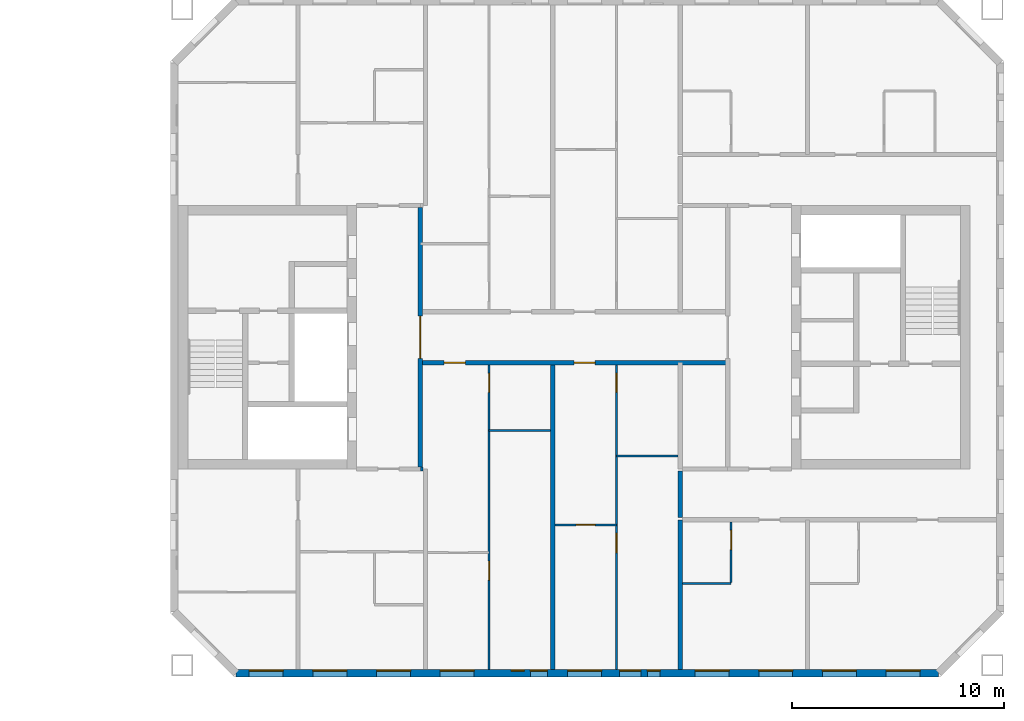
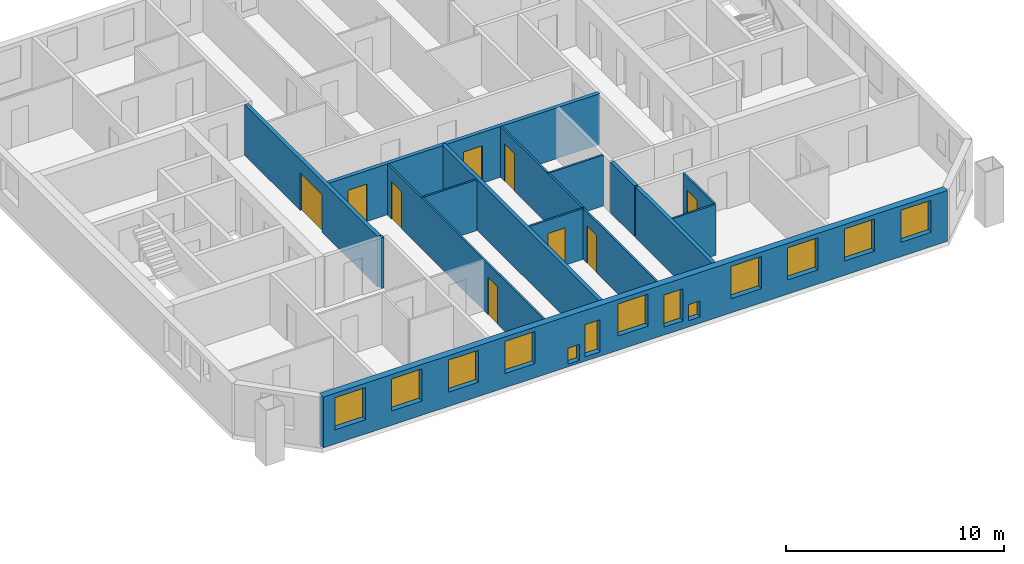
# One storey, part 9 of 15: 14 walls, 13 windows, 9 doors, 22 openings.
"""IFC4 building model written with IfcOpenShell, lengths in metres."""

from ifc_helpers import new_model, si_unit, direction, frame, frame_2d, origin, place, context, subcontext, project, spatial, rectangle, extrude, material, layer, layer_set, type_object, element, fill, save


model = new_model("IFC4")

# Units and contexts
model_context = context("Model", 3, precision=1e-05, world=origin(), true_north=direction((0.0, 1.0)))
body_context = subcontext(model_context, "Body", "Model", "MODEL_VIEW")
ifc_project = project(units=[si_unit("LENGTHUNIT", "METRE"), si_unit("AREAUNIT", "SQUARE_METRE"), si_unit("VOLUMEUNIT", "CUBIC_METRE"), si_unit("PLANEANGLEUNIT", "RADIAN"), si_unit("MASSUNIT", "GRAM", prefix="KILO")], contexts=[model_context])

# Site, building, storey
site_placement = place(None, origin())
site = spatial("IfcSite", under=ifc_project, at=site_placement, CompositionType="ELEMENT")
building_placement = place(site_placement, origin())
building = spatial("IfcBuilding", under=site, at=building_placement, Name="Tuart Gate Housing", CompositionType="ELEMENT")
storey_placement = place(building_placement, frame((0.0, 0.0, 188.199951171875)))
storey = spatial("IfcBuildingStorey", under=building, at=storey_placement, Name="L53", CompositionType="ELEMENT", Elevation=188.199951171875)

# Wall, openings, windows
ifc_material_1 = material(Name="Brick", Category="masonry")
ifc_layer_1 = layer(ifc_material_1, 0.360107421875)
ifc_layer_set_1 = layer_set([ifc_layer_1], Name="Brick pier and spandrel wall 360")
wall_type_1 = type_object("IfcWallType", Name="Brick pier and spandrel wall 360", PredefinedType="STANDARD", material=ifc_layer_set_1)
wall_1_placement = place(storey_placement, frame((134.07470703125, 54.179931640625, 0.0), z_axis=(0.0, 0.0, 1.0), x_axis=(1.0, 0.0, 0.0)))
wall_1 = element("IfcWall", 1, at=wall_1_placement, inside=storey, type_object=wall_type_1, Name="External wall B-S L53", PredefinedType="STANDARD", context=body_context, shape_type="SweptSolid", body=[
    extrude(rectangle(XDim=33.100830078125, YDim=0.360107421875, at=frame_2d((16.55029296875, 0.0))), origin(), (0.0, 0.0, 1.0), 2.85009765625),
])
opening_1_placement = place(wall_1_placement, frame((0.62548828125, 0.0, 0.800048828125)))
opening_1 = element("IfcOpeningElement", 2, at=opening_1_placement, cuts=wall_1, Name="Opening W1", PredefinedType="OPENING", context=body_context, shape_type="SweptSolid", body=[
    extrude(rectangle(XDim=1.60009765625, YDim=1.800048828125, at=frame_2d((0.800048828125, 0.89990234375))), frame((0.0, 0.18994140625, 0.0), z_axis=(0.0, -1.0, 0.0), x_axis=(1.0, 0.0, 0.0)), (0.0, 0.0, 1.0), 0.380126953125),
])
opening_2_placement = place(wall_1_placement, frame((3.62548828125, 0.0, 0.800048828125)))
opening_2 = element("IfcOpeningElement", 3, at=opening_2_placement, cuts=wall_1, Name="Opening W1", PredefinedType="OPENING", context=body_context, shape_type="SweptSolid", body=[
    extrude(rectangle(XDim=1.60009765625, YDim=1.800048828125, at=frame_2d((0.800048828125, 0.89990234375))), frame((0.0, 0.18994140625, 0.0), z_axis=(0.0, -1.0, 0.0), x_axis=(1.0, 0.0, 0.0)), (0.0, 0.0, 1.0), 0.380126953125),
])
opening_3_placement = place(wall_1_placement, frame((6.62548828125, 0.0, 0.800048828125)))
opening_3 = element("IfcOpeningElement", 4, at=opening_3_placement, cuts=wall_1, Name="Opening W1", PredefinedType="OPENING", context=body_context, shape_type="SweptSolid", body=[
    extrude(rectangle(XDim=1.60009765625, YDim=1.800048828125, at=frame_2d((0.800048828125, 0.89990234375))), frame((0.0, 0.18994140625, 0.0), z_axis=(0.0, -1.0, 0.0), x_axis=(1.0, 0.0, 0.0)), (0.0, 0.0, 1.0), 0.380126953125),
])
opening_4_placement = place(wall_1_placement, frame((9.62548828125, 0.0, 0.800048828125)))
opening_4 = element("IfcOpeningElement", 5, at=opening_4_placement, cuts=wall_1, Name="Opening W1", PredefinedType="OPENING", context=body_context, shape_type="SweptSolid", body=[
    extrude(rectangle(XDim=1.60009765625, YDim=1.800048828125, at=frame_2d((0.800048828125, 0.89990234375))), frame((0.0, 0.18994140625, 0.0), z_axis=(0.0, -1.0, 0.0), x_axis=(1.0, 0.0, 0.0)), (0.0, 0.0, 1.0), 0.380126953125),
])
opening_5_placement = place(wall_1_placement, frame((12.975341796875, 0.0, 0.14990234375)))
opening_5 = element("IfcOpeningElement", 6, at=opening_5_placement, cuts=wall_1, Name="Opening W1W", PredefinedType="OPENING", context=body_context, shape_type="SweptSolid", body=[
    extrude(rectangle(XDim=0.60009765625, YDim=0.89990234375, at=frame_2d((0.300048828125, 0.449951171875))), frame((0.0, 0.18994140625, 0.0), z_axis=(0.0, -1.0, 0.0), x_axis=(1.0, 0.0, 0.0)), (0.0, 0.0, 1.0), 0.380126953125),
])
opening_6_placement = place(wall_1_placement, frame((15.62548828125, 0.0, 0.800048828125)))
opening_6 = element("IfcOpeningElement", 7, at=opening_6_placement, cuts=wall_1, Name="Opening W1", PredefinedType="OPENING", context=body_context, shape_type="SweptSolid", body=[
    extrude(rectangle(XDim=1.60009765625, YDim=1.800048828125, at=frame_2d((0.800048828125, 0.89990234375))), frame((0.0, 0.18994140625, 0.0), z_axis=(0.0, -1.0, 0.0), x_axis=(1.0, 0.0, 0.0)), (0.0, 0.0, 1.0), 0.380126953125),
])
opening_7_placement = place(wall_1_placement, frame((18.075439453125, 0.0, 0.449951171875)))
opening_7 = element("IfcOpeningElement", 8, at=opening_7_placement, cuts=wall_1, Name="Opening W1C", PredefinedType="OPENING", context=body_context, shape_type="SweptSolid", body=[
    extrude(rectangle(XDim=1.0, YDim=1.800048828125, at=frame_2d((0.5, 0.89990234375))), frame((0.0, 0.18994140625, 0.0), z_axis=(0.0, -1.0, 0.0), x_axis=(1.0, 0.0, 0.0)), (0.0, 0.0, 1.0), 0.380126953125),
])
opening_8_placement = place(wall_1_placement, frame((21.62548828125, 0.0, 0.800048828125)))
opening_8 = element("IfcOpeningElement", 9, at=opening_8_placement, cuts=wall_1, Name="Opening W1", PredefinedType="OPENING", context=body_context, shape_type="SweptSolid", body=[
    extrude(rectangle(XDim=1.60009765625, YDim=1.800048828125, at=frame_2d((0.800048828125, 0.89990234375))), frame((0.0, 0.18994140625, 0.0), z_axis=(0.0, -1.0, 0.0), x_axis=(1.0, 0.0, 0.0)), (0.0, 0.0, 1.0), 0.380126953125),
])
opening_9_placement = place(wall_1_placement, frame((24.62548828125, 0.0, 0.800048828125)))
opening_9 = element("IfcOpeningElement", 10, at=opening_9_placement, cuts=wall_1, Name="Opening W1", PredefinedType="OPENING", context=body_context, shape_type="SweptSolid", body=[
    extrude(rectangle(XDim=1.60009765625, YDim=1.800048828125, at=frame_2d((0.800048828125, 0.89990234375))), frame((0.0, 0.18994140625, 0.0), z_axis=(0.0, -1.0, 0.0), x_axis=(1.0, 0.0, 0.0)), (0.0, 0.0, 1.0), 0.380126953125),
])
opening_10_placement = place(wall_1_placement, frame((27.62548828125, 0.0, 0.800048828125)))
opening_10 = element("IfcOpeningElement", 11, at=opening_10_placement, cuts=wall_1, Name="Opening W1", PredefinedType="OPENING", context=body_context, shape_type="SweptSolid", body=[
    extrude(rectangle(XDim=1.60009765625, YDim=1.800048828125, at=frame_2d((0.800048828125, 0.89990234375))), frame((0.0, 0.18994140625, 0.0), z_axis=(0.0, -1.0, 0.0), x_axis=(1.0, 0.0, 0.0)), (0.0, 0.0, 1.0), 0.380126953125),
])
opening_11_placement = place(wall_1_placement, frame((30.62548828125, 0.0, 0.800048828125)))
opening_11 = element("IfcOpeningElement", 12, at=opening_11_placement, cuts=wall_1, Name="Opening W1", PredefinedType="OPENING", context=body_context, shape_type="SweptSolid", body=[
    extrude(rectangle(XDim=1.60009765625, YDim=1.800048828125, at=frame_2d((0.800048828125, 0.89990234375))), frame((0.0, 0.18994140625, 0.0), z_axis=(0.0, -1.0, 0.0), x_axis=(1.0, 0.0, 0.0)), (0.0, 0.0, 1.0), 0.380126953125),
])
opening_12_placement = place(wall_1_placement, frame((13.87548828125, 0.0, 0.25)))
opening_12 = element("IfcOpeningElement", 13, at=opening_12_placement, cuts=wall_1, Name="Opening W1D", PredefinedType="OPENING", context=body_context, shape_type="SweptSolid", body=[
    extrude(rectangle(XDim=0.800048828125, YDim=1.800048828125, at=frame_2d((0.39990234375, 0.89990234375))), frame((0.0, 0.18994140625, 0.0), z_axis=(0.0, -1.0, 0.0), x_axis=(1.0, 0.0, 0.0)), (0.0, 0.0, 1.0), 0.380126953125),
])
opening_13_placement = place(wall_1_placement, frame((19.37548828125, 0.0, 0.35009765625)))
opening_13 = element("IfcOpeningElement", 14, at=opening_13_placement, cuts=wall_1, Name="Opening W1W", PredefinedType="OPENING", context=body_context, shape_type="SweptSolid", body=[
    extrude(rectangle(XDim=0.60009765625, YDim=0.89990234375, at=frame_2d((0.300048828125, 0.449951171875))), frame((0.0, 0.18994140625, 0.0), z_axis=(0.0, -1.0, 0.0), x_axis=(1.0, 0.0, 0.0)), (0.0, 0.0, 1.0), 0.380126953125),
])
ifc_material_2 = material(Name="Aluminium frame with clear glass", Category="aluminium")
window_type_1 = type_object("IfcWindowType", Name="Punched window 1000 x 1800", PartitioningType="SINGLE_PANEL", PredefinedType="WINDOW", material=ifc_material_2)
window_1_placement = place(opening_7_placement, origin())
window_1 = element("IfcWindow", 15, at=window_1_placement, inside=storey, type_object=window_type_1, Name="Window W1C", OverallHeight=1.800048828125, OverallWidth=1.0, PartitioningType="SINGLE_PANEL", PredefinedType="WINDOW", context=body_context, shape_type="SweptSolid", body=[
    extrude(rectangle(XDim=1.0, YDim=1.800048828125, at=frame_2d((0.5, 0.89990234375))), frame((0.0, 0.150146484375, 0.0), z_axis=(0.0, -1.0, 0.0), x_axis=(1.0, 0.0, 0.0)), (0.0, 0.0, 1.0), 0.06005859375),
])
fill(opening_7, window_1)
ifc_material_3 = material(Name="Aluminium frame with clear glass", Category="aluminium")
window_type_2 = type_object("IfcWindowType", Name="Punched window 1600 x 1800", PartitioningType="SINGLE_PANEL", PredefinedType="WINDOW", material=ifc_material_3)
window_2_placement = place(opening_1_placement, origin())
window_2 = element("IfcWindow", 16, at=window_2_placement, inside=storey, type_object=window_type_2, Name="Window W1", OverallHeight=1.800048828125, OverallWidth=1.60009765625, PartitioningType="SINGLE_PANEL", PredefinedType="WINDOW", context=body_context, shape_type="SweptSolid", body=[
    extrude(rectangle(XDim=1.60009765625, YDim=1.800048828125, at=frame_2d((0.800048828125, 0.89990234375))), frame((0.0, 0.150146484375, 0.0), z_axis=(0.0, -1.0, 0.0), x_axis=(1.0, 0.0, 0.0)), (0.0, 0.0, 1.0), 0.06005859375),
])
fill(opening_1, window_2)
window_3_placement = place(opening_2_placement, origin())
window_3 = element("IfcWindow", 17, at=window_3_placement, inside=storey, type_object=window_type_2, Name="Window W1", OverallHeight=1.800048828125, OverallWidth=1.60009765625, PartitioningType="SINGLE_PANEL", PredefinedType="WINDOW", context=body_context, shape_type="SweptSolid", body=[
    extrude(rectangle(XDim=1.60009765625, YDim=1.800048828125, at=frame_2d((0.800048828125, 0.89990234375))), frame((0.0, 0.150146484375, 0.0), z_axis=(0.0, -1.0, 0.0), x_axis=(1.0, 0.0, 0.0)), (0.0, 0.0, 1.0), 0.06005859375),
])
fill(opening_2, window_3)
window_4_placement = place(opening_3_placement, origin())
window_4 = element("IfcWindow", 18, at=window_4_placement, inside=storey, type_object=window_type_2, Name="Window W1", OverallHeight=1.800048828125, OverallWidth=1.60009765625, PartitioningType="SINGLE_PANEL", PredefinedType="WINDOW", context=body_context, shape_type="SweptSolid", body=[
    extrude(rectangle(XDim=1.60009765625, YDim=1.800048828125, at=frame_2d((0.800048828125, 0.89990234375))), frame((0.0, 0.150146484375, 0.0), z_axis=(0.0, -1.0, 0.0), x_axis=(1.0, 0.0, 0.0)), (0.0, 0.0, 1.0), 0.06005859375),
])
fill(opening_3, window_4)
window_5_placement = place(opening_4_placement, origin())
window_5 = element("IfcWindow", 19, at=window_5_placement, inside=storey, type_object=window_type_2, Name="Window W1", OverallHeight=1.800048828125, OverallWidth=1.60009765625, PartitioningType="SINGLE_PANEL", PredefinedType="WINDOW", context=body_context, shape_type="SweptSolid", body=[
    extrude(rectangle(XDim=1.60009765625, YDim=1.800048828125, at=frame_2d((0.800048828125, 0.89990234375))), frame((0.0, 0.150146484375, 0.0), z_axis=(0.0, -1.0, 0.0), x_axis=(1.0, 0.0, 0.0)), (0.0, 0.0, 1.0), 0.06005859375),
])
fill(opening_4, window_5)
window_6_placement = place(opening_6_placement, origin())
window_6 = element("IfcWindow", 20, at=window_6_placement, inside=storey, type_object=window_type_2, Name="Window W1", OverallHeight=1.800048828125, OverallWidth=1.60009765625, PartitioningType="SINGLE_PANEL", PredefinedType="WINDOW", context=body_context, shape_type="SweptSolid", body=[
    extrude(rectangle(XDim=1.60009765625, YDim=1.800048828125, at=frame_2d((0.800048828125, 0.89990234375))), frame((0.0, 0.150146484375, 0.0), z_axis=(0.0, -1.0, 0.0), x_axis=(1.0, 0.0, 0.0)), (0.0, 0.0, 1.0), 0.06005859375),
])
fill(opening_6, window_6)
window_7_placement = place(opening_8_placement, origin())
window_7 = element("IfcWindow", 21, at=window_7_placement, inside=storey, type_object=window_type_2, Name="Window W1", OverallHeight=1.800048828125, OverallWidth=1.60009765625, PartitioningType="SINGLE_PANEL", PredefinedType="WINDOW", context=body_context, shape_type="SweptSolid", body=[
    extrude(rectangle(XDim=1.60009765625, YDim=1.800048828125, at=frame_2d((0.800048828125, 0.89990234375))), frame((0.0, 0.150146484375, 0.0), z_axis=(0.0, -1.0, 0.0), x_axis=(1.0, 0.0, 0.0)), (0.0, 0.0, 1.0), 0.06005859375),
])
fill(opening_8, window_7)
window_8_placement = place(opening_9_placement, origin())
window_8 = element("IfcWindow", 22, at=window_8_placement, inside=storey, type_object=window_type_2, Name="Window W1", OverallHeight=1.800048828125, OverallWidth=1.60009765625, PartitioningType="SINGLE_PANEL", PredefinedType="WINDOW", context=body_context, shape_type="SweptSolid", body=[
    extrude(rectangle(XDim=1.60009765625, YDim=1.800048828125, at=frame_2d((0.800048828125, 0.89990234375))), frame((0.0, 0.150146484375, 0.0), z_axis=(0.0, -1.0, 0.0), x_axis=(1.0, 0.0, 0.0)), (0.0, 0.0, 1.0), 0.06005859375),
])
fill(opening_9, window_8)
window_9_placement = place(opening_10_placement, origin())
window_9 = element("IfcWindow", 23, at=window_9_placement, inside=storey, type_object=window_type_2, Name="Window W1", OverallHeight=1.800048828125, OverallWidth=1.60009765625, PartitioningType="SINGLE_PANEL", PredefinedType="WINDOW", context=body_context, shape_type="SweptSolid", body=[
    extrude(rectangle(XDim=1.60009765625, YDim=1.800048828125, at=frame_2d((0.800048828125, 0.89990234375))), frame((0.0, 0.150146484375, 0.0), z_axis=(0.0, -1.0, 0.0), x_axis=(1.0, 0.0, 0.0)), (0.0, 0.0, 1.0), 0.06005859375),
])
fill(opening_10, window_9)
window_10_placement = place(opening_11_placement, origin())
window_10 = element("IfcWindow", 24, at=window_10_placement, inside=storey, type_object=window_type_2, Name="Window W1", OverallHeight=1.800048828125, OverallWidth=1.60009765625, PartitioningType="SINGLE_PANEL", PredefinedType="WINDOW", context=body_context, shape_type="SweptSolid", body=[
    extrude(rectangle(XDim=1.60009765625, YDim=1.800048828125, at=frame_2d((0.800048828125, 0.89990234375))), frame((0.0, 0.150146484375, 0.0), z_axis=(0.0, -1.0, 0.0), x_axis=(1.0, 0.0, 0.0)), (0.0, 0.0, 1.0), 0.06005859375),
])
fill(opening_11, window_10)
ifc_material_4 = material(Name="Aluminium frame with clear glass", Category="aluminium")
window_type_3 = type_object("IfcWindowType", Name="Punched window 600 x 900", PartitioningType="SINGLE_PANEL", PredefinedType="WINDOW", material=ifc_material_4)
window_11_placement = place(opening_5_placement, origin())
window_11 = element("IfcWindow", 25, at=window_11_placement, inside=storey, type_object=window_type_3, Name="Window W1W", OverallHeight=0.89990234375, OverallWidth=0.60009765625, PartitioningType="SINGLE_PANEL", PredefinedType="WINDOW", context=body_context, shape_type="SweptSolid", body=[
    extrude(rectangle(XDim=0.60009765625, YDim=0.89990234375, at=frame_2d((0.300048828125, 0.449951171875))), frame((0.0, 0.150146484375, 0.0), z_axis=(0.0, -1.0, 0.0), x_axis=(1.0, 0.0, 0.0)), (0.0, 0.0, 1.0), 0.06005859375),
])
fill(opening_5, window_11)
window_12_placement = place(opening_13_placement, origin())
window_12 = element("IfcWindow", 26, at=window_12_placement, inside=storey, type_object=window_type_3, Name="Window W1W", OverallHeight=0.89990234375, OverallWidth=0.60009765625, PartitioningType="SINGLE_PANEL", PredefinedType="WINDOW", context=body_context, shape_type="SweptSolid", body=[
    extrude(rectangle(XDim=0.60009765625, YDim=0.89990234375, at=frame_2d((0.300048828125, 0.449951171875))), frame((0.0, 0.150146484375, 0.0), z_axis=(0.0, -1.0, 0.0), x_axis=(1.0, 0.0, 0.0)), (0.0, 0.0, 1.0), 0.06005859375),
])
fill(opening_13, window_12)
ifc_material_5 = material(Name="Aluminium frame with clear glass", Category="aluminium")
window_type_4 = type_object("IfcWindowType", Name="Punched window 800 x 1800", PartitioningType="SINGLE_PANEL", PredefinedType="WINDOW", material=ifc_material_5)
window_13_placement = place(opening_12_placement, origin())
window_13 = element("IfcWindow", 27, at=window_13_placement, inside=storey, type_object=window_type_4, Name="Window W1D", OverallHeight=1.800048828125, OverallWidth=0.800048828125, PartitioningType="SINGLE_PANEL", PredefinedType="WINDOW", context=body_context, shape_type="SweptSolid", body=[
    extrude(rectangle(XDim=0.800048828125, YDim=1.800048828125, at=frame_2d((0.39990234375, 0.89990234375))), frame((0.0, 0.150146484375, 0.0), z_axis=(0.0, -1.0, 0.0), x_axis=(1.0, 0.0, 0.0)), (0.0, 0.0, 1.0), 0.06005859375),
])
fill(opening_12, window_13)

# Wall, openings, doors
ifc_material_6 = material(Name="Concrete masonry 15 MPa", Category="masonry")
ifc_layer_2 = layer(ifc_material_6, 0.199951171875)
ifc_layer_set_2 = layer_set([ifc_layer_2], Name="Corridor wall masonry 200")
wall_type_2 = type_object("IfcWallType", Name="Corridor wall masonry 200", PredefinedType="PARTITIONING", material=ifc_layer_set_2)
wall_2_placement = place(storey_placement, frame((142.760009765625, 68.800048828125, 0.0), z_axis=(0.0, 0.0, 1.0), x_axis=(1.0, 0.0, 0.0)))
wall_2 = element("IfcWall", 28, at=wall_2_placement, inside=storey, type_object=wall_type_2, Name="Corridor wall masonry 200", PredefinedType="PARTITIONING", context=body_context, shape_type="SweptSolid", body=[
    extrude(rectangle(XDim=14.47998046875, YDim=0.199951171875, at=frame_2d((7.239990234375, 0.0))), origin(), (0.0, 0.0, 1.0), 2.85009765625),
])
opening_14_placement = place(wall_2_placement, frame((1.1201171875, 0.0, 0.0)))
opening_14 = element("IfcOpeningElement", 29, at=opening_14_placement, cuts=wall_2, Name="Opening D1926", PredefinedType="OPENING", context=body_context, shape_type="SweptSolid", body=[
    extrude(rectangle(XDim=1.0, YDim=2.10009765625, at=frame_2d((0.5, 1.050048828125))), frame((0.0, 0.10986328125, 0.0), z_axis=(0.0, -1.0, 0.0), x_axis=(1.0, 0.0, 0.0)), (0.0, 0.0, 1.0), 0.219970703125),
])
opening_15_placement = place(wall_2_placement, frame((7.239990234375, 0.0, 0.0)))
opening_15 = element("IfcOpeningElement", 30, at=opening_15_placement, cuts=wall_2, Name="Opening D1927", PredefinedType="OPENING", context=body_context, shape_type="SweptSolid", body=[
    extrude(rectangle(XDim=1.0, YDim=2.10009765625, at=frame_2d((0.5, 1.050048828125))), frame((0.0, 0.10986328125, 0.0), z_axis=(0.0, -1.0, 0.0), x_axis=(1.0, 0.0, 0.0)), (0.0, 0.0, 1.0), 0.219970703125),
])
ifc_material_7 = material(Name="Timber door leaf in steel frame", Category="steel")
door_type_1 = type_object("IfcDoorType", Name="Flat entrance door 1000 RH", OperationType="SINGLE_SWING_RIGHT", PredefinedType="DOOR", material=ifc_material_7)
door_1_placement = place(opening_14_placement, frame((1.0, 0.0, 0.0), z_axis=(0.0, 0.0, 1.0), x_axis=(-1.0, 0.0, 0.0)))
door_1 = element("IfcDoor", 31, at=door_1_placement, inside=storey, type_object=door_type_1, Name="Flat entrance door", OperationType="SINGLE_SWING_RIGHT", OverallHeight=2.10009765625, OverallWidth=1.0, PredefinedType="DOOR", context=body_context, shape_type="SweptSolid", body=[
    extrude(rectangle(XDim=1.0, YDim=2.10009765625, at=frame_2d((0.5, 1.050048828125))), frame((0.0, 0.025146484375, 0.0), z_axis=(0.0, -1.0, 0.0), x_axis=(1.0, 0.0, 0.0)), (0.0, 0.0, 1.0), 0.050048828125),
])
fill(opening_14, door_1)
door_2_placement = place(opening_15_placement, frame((1.0, 0.0, 0.0), z_axis=(0.0, 0.0, 1.0), x_axis=(-1.0, 0.0, 0.0)))
door_2 = element("IfcDoor", 32, at=door_2_placement, inside=storey, type_object=door_type_1, Name="Flat entrance door", OperationType="SINGLE_SWING_RIGHT", OverallHeight=2.10009765625, OverallWidth=1.0, PredefinedType="DOOR", context=body_context, shape_type="SweptSolid", body=[
    extrude(rectangle(XDim=1.0, YDim=2.10009765625, at=frame_2d((0.5, 1.050048828125))), frame((0.0, 0.025146484375, 0.0), z_axis=(0.0, -1.0, 0.0), x_axis=(1.0, 0.0, 0.0)), (0.0, 0.0, 1.0), 0.050048828125),
])
fill(opening_15, door_2)

# Wall
wall_3_placement = place(storey_placement, frame((155.0, 61.5, 0.0), z_axis=(0.0, 0.0, 1.0), x_axis=(0.0, 1.0, 0.0)))
element("IfcWall", 33, at=wall_3_placement, inside=storey, type_object=wall_type_2, Name="Corridor wall masonry 200", PredefinedType="PARTITIONING", context=body_context, shape_type="SweptSolid", body=[
    extrude(rectangle(XDim=2.199951171875, YDim=0.199951171875, at=frame_2d((1.10009765625, 0.0))), origin(), (0.0, 0.0, 1.0), 2.85009765625),
])

# Wall, opening, door
ifc_material_8 = material(Name="Plasterboard partition")
ifc_layer_3 = layer(ifc_material_8, 0.199951171875)
ifc_layer_set_3 = layer_set([ifc_layer_3], Name="Lobby wall 200")
wall_type_3 = type_object("IfcWallType", Name="Lobby wall 200", PredefinedType="PARTITIONING", material=ifc_layer_set_3)
wall_4_placement = place(storey_placement, frame((142.760009765625, 63.89990234375, 0.0), z_axis=(0.0, 0.0, 1.0), x_axis=(0.0, 1.0, 0.0)))
wall_4 = element("IfcWall", 34, at=wall_4_placement, inside=storey, type_object=wall_type_3, Name="Lift lobby wall BG", PredefinedType="PARTITIONING", context=body_context, shape_type="SweptSolid", body=[
    extrude(rectangle(XDim=12.2001953125, YDim=0.199951171875, at=frame_2d((6.10009765625, 0.0))), origin(), (0.0, 0.0, 1.0), 2.85009765625),
])
opening_16_placement = place(wall_4_placement, frame((5.10009765625, 0.0, 0.0)))
opening_16 = element("IfcOpeningElement", 35, at=opening_16_placement, cuts=wall_4, Name="Opening D1919", PredefinedType="OPENING", context=body_context, shape_type="SweptSolid", body=[
    extrude(rectangle(XDim=2.0, YDim=2.10009765625, at=frame_2d((1.0, 1.050048828125))), frame((0.0, 0.10986328125, 0.0), z_axis=(0.0, -1.0, 0.0), x_axis=(1.0, 0.0, 0.0)), (0.0, 0.0, 1.0), 0.219970703125),
])
ifc_material_9 = material(Name="Steel fire door", Category="steel")
door_type_2 = type_object("IfcDoorType", Name="Smoke door 2000 x 2100", OperationType="DOUBLE_DOOR_SINGLE_SWING", PredefinedType="DOOR", material=ifc_material_9)
door_3_placement = place(opening_16_placement, origin())
door_3 = element("IfcDoor", 36, at=door_3_placement, inside=storey, type_object=door_type_2, Name="Lift lobby smoke door BG", OperationType="DOUBLE_DOOR_SINGLE_SWING", OverallHeight=2.10009765625, OverallWidth=2.0, PredefinedType="DOOR", context=body_context, shape_type="SweptSolid", body=[
    extrude(rectangle(XDim=2.0, YDim=2.10009765625, at=frame_2d((1.0, 1.050048828125))), frame((0.0, 0.02490234375, 0.0), z_axis=(0.0, -1.0, 0.0), x_axis=(1.0, 0.0, 0.0)), (0.0, 0.0, 1.0), 0.050048828125),
])
fill(opening_16, door_3)

# Wall
ifc_material_10 = material(Name="Gypsum board on steel studs", Category="steel")
ifc_layer_4 = layer(ifc_material_10, 0.10009765625)
ifc_layer_set_4 = layer_set([ifc_layer_4], Name="Partition 100")
wall_type_4 = type_object("IfcWallType", Name="Partition 100", PredefinedType="PARTITIONING", material=ifc_layer_set_4)
wall_5_placement = place(storey_placement, frame((155.10009765625, 58.39990234375, 0.0), z_axis=(0.0, 0.0, 1.0), x_axis=(1.0, 0.0, 0.0)))
element("IfcWall", 37, at=wall_5_placement, inside=storey, type_object=wall_type_4, Name="Partition 100", PredefinedType="PARTITIONING", context=body_context, shape_type="SweptSolid", body=[
    extrude(rectangle(XDim=2.2998046875, YDim=0.10009765625, at=frame_2d((1.14990234375, 0.0))), origin(), (0.0, 0.0, 1.0), 2.85009765625),
])

# Wall, opening, door
wall_6_placement = place(storey_placement, frame((149.10009765625, 61.159912109375, 0.0), z_axis=(0.0, 0.0, 1.0), x_axis=(1.0, 0.0, 0.0)))
wall_6 = element("IfcWall", 38, at=wall_6_placement, inside=storey, type_object=wall_type_4, Name="Partition 100", PredefinedType="PARTITIONING", context=body_context, shape_type="SweptSolid", body=[
    extrude(rectangle(XDim=2.89990234375, YDim=0.10009765625, at=frame_2d((1.449951171875, 0.0))), origin(), (0.0, 0.0, 1.0), 2.85009765625),
])
opening_17_placement = place(wall_6_placement, frame((1.0, 0.0, 0.0)))
opening_17 = element("IfcOpeningElement", 39, at=opening_17_placement, cuts=wall_6, Name="Opening D1938", PredefinedType="OPENING", context=body_context, shape_type="SweptSolid", body=[
    extrude(rectangle(XDim=0.89990234375, YDim=2.10009765625, at=frame_2d((0.449951171875, 1.050048828125))), frame((0.0, 0.06005859375, 0.0), z_axis=(0.0, -1.0, 0.0), x_axis=(1.0, 0.0, 0.0)), (0.0, 0.0, 1.0), 0.1201171875),
])
ifc_material_11 = material(Name="Timber door leaf in steel frame", Category="steel")
door_type_3 = type_object("IfcDoorType", Name="Internal door 900 RH", OperationType="SINGLE_SWING_RIGHT", PredefinedType="DOOR", material=ifc_material_11)
door_4_placement = place(opening_17_placement, origin())
door_4 = element("IfcDoor", 40, at=door_4_placement, inside=storey, type_object=door_type_3, Name="Internal door", OperationType="SINGLE_SWING_RIGHT", OverallHeight=2.10009765625, OverallWidth=0.89990234375, PredefinedType="DOOR", context=body_context, shape_type="SweptSolid", body=[
    extrude(rectangle(XDim=0.89990234375, YDim=2.10009765625, at=frame_2d((0.449951171875, 1.050048828125))), frame((0.0, 0.02490234375, 0.0), z_axis=(0.0, -1.0, 0.0), x_axis=(1.0, 0.0, 0.0)), (0.0, 0.0, 1.0), 0.050048828125),
])
fill(opening_17, door_4)

# Walls
for number, where, z_axis, x_axis, name in (
    (41, (152.0, 64.39990234375, 0.0), (0.0, 0.0, 1.0), (1.0, 0.0, 0.0), "Partition 100"),
    (42, (146.0, 65.60009765625, 0.0), (0.0, 0.0, 1.0), (1.0, 0.0, 0.0), "Partition 100"),
):
    element("IfcWall", number, at=place(storey_placement, frame(where, z_axis=z_axis, x_axis=x_axis)), inside=storey, type_object=wall_type_4, Name=name, PredefinedType="PARTITIONING", context=body_context, shape_type="SweptSolid", body=[
        extrude(rectangle(XDim=2.89990234375, YDim=0.10009765625, at=frame_2d((1.449951171875, 0.0))), origin(), (0.0, 0.0, 1.0), 2.85009765625),
    ])

# Wall, openings, doors
wall_7_placement = place(storey_placement, frame((146.0, 54.360107421875, 0.0), z_axis=(0.0, 0.0, 1.0), x_axis=(0.0, 1.0, 0.0)))
wall_7 = element("IfcWall", 43, at=wall_7_placement, inside=storey, type_object=wall_type_4, Name="Partition 100", PredefinedType="PARTITIONING", context=body_context, shape_type="SweptSolid", body=[
    extrude(rectangle(XDim=14.33984375, YDim=0.10009765625, at=frame_2d((7.169921875, 0.0))), origin(), (0.0, 0.0, 1.0), 2.85009765625),
])
opening_18_placement = place(wall_7_placement, frame((4.199951171875, 0.0, 0.0)))
opening_18 = element("IfcOpeningElement", 44, at=opening_18_placement, cuts=wall_7, Name="Opening D1933", PredefinedType="OPENING", context=body_context, shape_type="SweptSolid", body=[
    extrude(rectangle(XDim=0.89990234375, YDim=2.10009765625, at=frame_2d((0.449951171875, 1.050048828125))), frame((0.0, 0.06005859375, 0.0), z_axis=(0.0, -1.0, 0.0), x_axis=(1.0, 0.0, 0.0)), (0.0, 0.0, 1.0), 0.1201171875),
])
opening_19_placement = place(wall_7_placement, frame((13.0400390625, 0.0, 0.0)))
opening_19 = element("IfcOpeningElement", 45, at=opening_19_placement, cuts=wall_7, Name="Opening D1932", PredefinedType="OPENING", context=body_context, shape_type="SweptSolid", body=[
    extrude(rectangle(XDim=0.89990234375, YDim=2.10009765625, at=frame_2d((0.449951171875, 1.050048828125))), frame((0.0, 0.06005859375, 0.0), z_axis=(0.0, -1.0, 0.0), x_axis=(1.0, 0.0, 0.0)), (0.0, 0.0, 1.0), 0.1201171875),
])
ifc_material_12 = material(Name="Timber door leaf in steel frame", Category="steel")
door_type_4 = type_object("IfcDoorType", Name="Bathroom door 900", OperationType="SINGLE_SWING_LEFT", PredefinedType="DOOR", material=ifc_material_12)
door_5_placement = place(opening_19_placement, frame((0.89990234375, 0.0, 0.0), z_axis=(0.0, 0.0, 1.0), x_axis=(-1.0, 0.0, 0.0)))
door_5 = element("IfcDoor", 46, at=door_5_placement, inside=storey, type_object=door_type_4, Name="Bathroom door", OperationType="SINGLE_SWING_LEFT", OverallHeight=2.10009765625, OverallWidth=0.89990234375, PredefinedType="DOOR", context=body_context, shape_type="SweptSolid", body=[
    extrude(rectangle(XDim=0.89990234375, YDim=2.10009765625, at=frame_2d((0.449951171875, 1.050048828125))), frame((0.0, 0.025146484375, 0.0), z_axis=(0.0, -1.0, 0.0), x_axis=(1.0, 0.0, 0.0)), (0.0, 0.0, 1.0), 0.050048828125),
])
fill(opening_19, door_5)
door_6_placement = place(opening_18_placement, frame((0.89990234375, 0.0, 0.0), z_axis=(0.0, 0.0, 1.0), x_axis=(-1.0, 0.0, 0.0)))
door_6 = element("IfcDoor", 47, at=door_6_placement, inside=storey, type_object=door_type_3, Name="Internal door", OperationType="SINGLE_SWING_RIGHT", OverallHeight=2.10009765625, OverallWidth=0.89990234375, PredefinedType="DOOR", context=body_context, shape_type="SweptSolid", body=[
    extrude(rectangle(XDim=0.89990234375, YDim=2.10009765625, at=frame_2d((0.449951171875, 1.050048828125))), frame((0.0, 0.025146484375, 0.0), z_axis=(0.0, -1.0, 0.0), x_axis=(1.0, 0.0, 0.0)), (0.0, 0.0, 1.0), 0.050048828125),
])
fill(opening_18, door_6)

wall_8_placement = place(storey_placement, frame((152.0, 54.360107421875, 0.0), z_axis=(0.0, 0.0, 1.0), x_axis=(0.0, 1.0, 0.0)))
wall_8 = element("IfcWall", 48, at=wall_8_placement, inside=storey, type_object=wall_type_4, Name="Partition 100", PredefinedType="PARTITIONING", context=body_context, shape_type="SweptSolid", body=[
    extrude(rectangle(XDim=14.33984375, YDim=0.10009765625, at=frame_2d((7.169921875, 0.0))), origin(), (0.0, 0.0, 1.0), 2.85009765625),
])
opening_20_placement = place(wall_8_placement, frame((5.5, 0.0, 0.0)))
opening_20 = element("IfcOpeningElement", 49, at=opening_20_placement, cuts=wall_8, Name="Opening D1935", PredefinedType="OPENING", context=body_context, shape_type="SweptSolid", body=[
    extrude(rectangle(XDim=0.89990234375, YDim=2.10009765625, at=frame_2d((0.449951171875, 1.050048828125))), frame((0.0, 0.06005859375, 0.0), z_axis=(0.0, -1.0, 0.0), x_axis=(1.0, 0.0, 0.0)), (0.0, 0.0, 1.0), 0.1201171875),
])
opening_21_placement = place(wall_8_placement, frame((13.0400390625, 0.0, 0.0)))
opening_21 = element("IfcOpeningElement", 50, at=opening_21_placement, cuts=wall_8, Name="Opening D1934", PredefinedType="OPENING", context=body_context, shape_type="SweptSolid", body=[
    extrude(rectangle(XDim=0.89990234375, YDim=2.10009765625, at=frame_2d((0.449951171875, 1.050048828125))), frame((0.0, 0.06005859375, 0.0), z_axis=(0.0, -1.0, 0.0), x_axis=(1.0, 0.0, 0.0)), (0.0, 0.0, 1.0), 0.1201171875),
])
door_7_placement = place(opening_21_placement, frame((0.89990234375, 0.0, 0.0), z_axis=(0.0, 0.0, 1.0), x_axis=(-1.0, 0.0, 0.0)))
door_7 = element("IfcDoor", 51, at=door_7_placement, inside=storey, type_object=door_type_4, Name="Bathroom door", OperationType="SINGLE_SWING_LEFT", OverallHeight=2.10009765625, OverallWidth=0.89990234375, PredefinedType="DOOR", context=body_context, shape_type="SweptSolid", body=[
    extrude(rectangle(XDim=0.89990234375, YDim=2.10009765625, at=frame_2d((0.449951171875, 1.050048828125))), frame((0.0, 0.025146484375, 0.0), z_axis=(0.0, -1.0, 0.0), x_axis=(1.0, 0.0, 0.0)), (0.0, 0.0, 1.0), 0.050048828125),
])
fill(opening_21, door_7)
ifc_material_13 = material(Name="Timber door leaf in steel frame", Category="steel")
door_type_5 = type_object("IfcDoorType", Name="Internal door 900", OperationType="SINGLE_SWING_LEFT", PredefinedType="DOOR", material=ifc_material_13)
door_8_placement = place(opening_20_placement, frame((0.89990234375, 0.0, 0.0), z_axis=(0.0, 0.0, 1.0), x_axis=(-1.0, 0.0, 0.0)))
door_8 = element("IfcDoor", 52, at=door_8_placement, inside=storey, type_object=door_type_5, Name="Internal door", OperationType="SINGLE_SWING_LEFT", OverallHeight=2.10009765625, OverallWidth=0.89990234375, PredefinedType="DOOR", context=body_context, shape_type="SweptSolid", body=[
    extrude(rectangle(XDim=0.89990234375, YDim=2.10009765625, at=frame_2d((0.449951171875, 1.050048828125))), frame((0.0, 0.025146484375, 0.0), z_axis=(0.0, -1.0, 0.0), x_axis=(1.0, 0.0, 0.0)), (0.0, 0.0, 1.0), 0.050048828125),
])
fill(opening_20, door_8)

# Wall, opening, door
wall_9_placement = place(storey_placement, frame((157.39990234375, 58.449951171875, 0.0), z_axis=(0.0, 0.0, 1.0), x_axis=(0.0, 1.0, 0.0)))
wall_9 = element("IfcWall", 53, at=wall_9_placement, inside=storey, type_object=wall_type_4, Name="Partition 100", PredefinedType="PARTITIONING", context=body_context, shape_type="SweptSolid", body=[
    extrude(rectangle(XDim=2.85009765625, YDim=0.10009765625, at=frame_2d((1.425048828125, 0.0))), origin(), (0.0, 0.0, 1.0), 2.85009765625),
])
opening_22_placement = place(wall_9_placement, frame((1.550048828125, 0.0, 0.0)))
opening_22 = element("IfcOpeningElement", 54, at=opening_22_placement, cuts=wall_9, Name="Opening D1941", PredefinedType="OPENING", context=body_context, shape_type="SweptSolid", body=[
    extrude(rectangle(XDim=0.89990234375, YDim=2.10009765625, at=frame_2d((0.449951171875, 1.050048828125))), frame((0.0, 0.06005859375, 0.0), z_axis=(0.0, -1.0, 0.0), x_axis=(1.0, 0.0, 0.0)), (0.0, 0.0, 1.0), 0.1201171875),
])
ifc_material_14 = material(Name="Timber door leaf in steel frame", Category="steel")
door_type_6 = type_object("IfcDoorType", Name="Bathroom door 900 RH", OperationType="SINGLE_SWING_RIGHT", PredefinedType="DOOR", material=ifc_material_14)
door_9_placement = place(opening_22_placement, origin())
door_9 = element("IfcDoor", 55, at=door_9_placement, inside=storey, type_object=door_type_6, Name="Bathroom door", OperationType="SINGLE_SWING_RIGHT", OverallHeight=2.10009765625, OverallWidth=0.89990234375, PredefinedType="DOOR", context=body_context, shape_type="SweptSolid", body=[
    extrude(rectangle(XDim=0.89990234375, YDim=2.10009765625, at=frame_2d((0.449951171875, 1.050048828125))), frame((0.0, 0.02490234375, 0.0), z_axis=(0.0, -1.0, 0.0), x_axis=(1.0, 0.0, 0.0)), (0.0, 0.0, 1.0), 0.050048828125),
])
fill(opening_22, door_9)

# Walls
ifc_material_15 = material(Name="Concrete C40", Category="concrete")
ifc_layer_5 = layer(ifc_material_15, 0.199951171875)
ifc_layer_set_5 = layer_set([ifc_layer_5], Name="Party wall concrete C40 200")
wall_type_5 = type_object("IfcWallType", Name="Party wall concrete C40 200", PredefinedType="SOLIDWALL", material=ifc_layer_set_5)
wall_10_placement = place(storey_placement, frame((149.0, 54.360107421875, 0.0), z_axis=(0.0, 0.0, 1.0), x_axis=(0.0, 1.0, 0.0)))
element("IfcWall", 56, at=wall_10_placement, inside=storey, type_object=wall_type_5, Name="Party wall concrete C40 200", PredefinedType="SOLIDWALL", context=body_context, shape_type="SweptSolid", body=[
    extrude(rectangle(XDim=14.43994140625, YDim=0.199951171875, at=frame_2d((7.219970703125, 0.0))), origin(), (0.0, 0.0, 1.0), 2.85009765625),
])
wall_11_placement = place(storey_placement, frame((155.0, 54.360107421875, 0.0), z_axis=(0.0, 0.0, 1.0), x_axis=(0.0, 1.0, 0.0)))
element("IfcWall", 57, at=wall_11_placement, inside=storey, type_object=wall_type_5, Name="Party wall concrete C40 200", PredefinedType="SOLIDWALL", context=body_context, shape_type="SweptSolid", body=[
    extrude(rectangle(XDim=7.039794921875, YDim=0.199951171875, at=frame_2d((3.52001953125, 0.0))), origin(), (0.0, 0.0, 1.0), 2.85009765625),
])
ifc_material_16 = material(Name="Concrete masonry 15 MPa", Category="masonry")
ifc_layer_6 = layer(ifc_material_16, 0.199951171875)
ifc_layer_set_6 = layer_set([ifc_layer_6], Name="Party wall masonry 200")
wall_type_6 = type_object("IfcWallType", Name="Party wall masonry 200", PredefinedType="PARTITIONING", material=ifc_layer_set_6)
wall_12_placement = place(storey_placement, frame((142.760009765625, 63.800048828125, 0.0), z_axis=(0.0, 0.0, 1.0), x_axis=(1.0, 0.0, 0.0)))
element("IfcWall", 58, at=wall_12_placement, inside=storey, type_object=wall_type_6, Name="Party wall masonry 200", PredefinedType="PARTITIONING", context=body_context, shape_type="SweptSolid", body=[
    extrude(rectangle(XDim=0.139892578125, YDim=0.199951171875, at=frame_2d((0.06982421875, 0.0))), origin(), (0.0, 0.0, 1.0), 2.85009765625),
])

save(model, "model.ifc")
